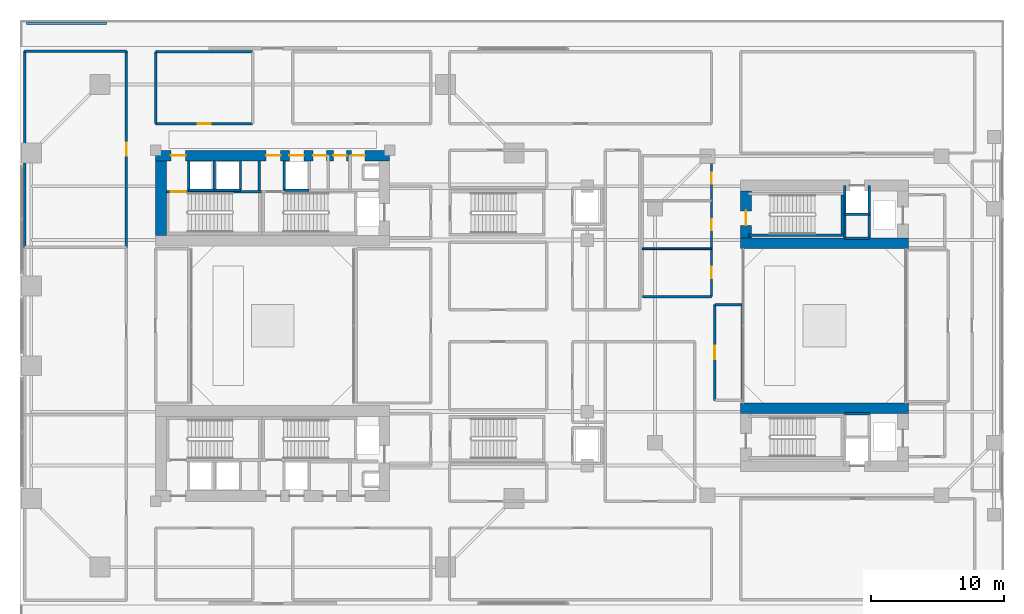
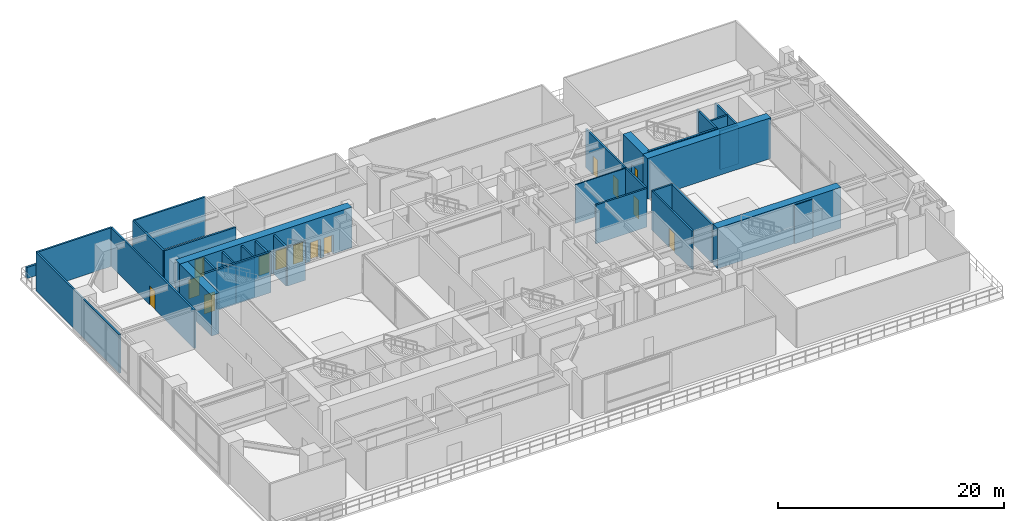
# One storey, part 13 of 19: 34 walls, 14 doors, 14 openings.
"""IFC4 building model written with IfcOpenShell, lengths in metres."""

import ifcopenshell
import ifcopenshell.guid

model = None  # the IFC model being written
_history = None  # IfcOwnerHistory: only IFC2X3 demands one
_inside = {}  # id of a spatial element -> (the spatial element, [elements in it])
_under = {}  # id of a project, library or spatial element -> (it, [spatial elements below it])
_declared = {}  # id of a project -> (the project, [libraries it declares])
_typed = {}  # id of a type object -> (the type object, [elements of that type])
_made_of = {}  # id of a material, layer set ... -> (it, [elements and type objects made of it])


def new_model(schema):
    """Start an empty IFC model of exactly this schema.

    Asked for "IFC4X3", IfcOpenShell would pick the latest addendum, in which some entities
    have other attributes; the version numbers below select the first issue.
    IFC2X3 requires an IfcOwnerHistory on every rooted entity: one is made here for all.
    """
    global model, _history
    if schema == "IFC4X3":
        model = ifcopenshell.file(schema_version=(4, 3, 0, 0))
    else:
        model = ifcopenshell.file(schema=schema)
    _inside.clear()
    _under.clear()
    _declared.clear()
    _typed.clear()
    _made_of.clear()
    _history = None
    if model.schema == "IFC2X3":
        org = make("IfcOrganization", Name="unknown")
        user = make(
            "IfcPersonAndOrganization",
            ThePerson=make("IfcPerson", FamilyName="unknown"),
            TheOrganization=org,
        )
        app = make(
            "IfcApplication",
            ApplicationDeveloper=org,
            Version="unknown",
            ApplicationFullName="unknown",
            ApplicationIdentifier="unknown",
        )
        _history = make(
            "IfcOwnerHistory",
            OwningUser=user,
            OwningApplication=app,
            ChangeAction="ADDED",
            CreationDate=0,
        )
    return model


def make(cls, **values):
    """One entity of the class cls with the attributes given. An attribute that is None is left unset."""
    return model.create_entity(
        cls, **{name: value for name, value in values.items() if value is not None}
    )


def rooted(cls, **values):
    """An entity with a GlobalId (a new one), such as an element, a storey or a relation."""
    return make(cls, GlobalId=ifcopenshell.guid.new(), OwnerHistory=_history, **values)


def si_unit(unit_type, name, prefix=None):
    """IfcSIUnit, for example si_unit("LENGTHUNIT", "METRE", prefix="MILLI")."""
    return make("IfcSIUnit", UnitType=unit_type, Prefix=prefix, Name=name)


def assignment(units):
    """IfcUnitAssignment: the units of a project."""
    return None if units is None else make("IfcUnitAssignment", Units=units)


def point(xyz):
    """IfcCartesianPoint."""
    return None if xyz is None else make("IfcCartesianPoint", Coordinates=xyz)


def direction(xyz):
    """IfcDirection."""
    return None if xyz is None else make("IfcDirection", DirectionRatios=xyz)


def frame(location, z_axis=None, x_axis=None):
    """IfcAxis2Placement3D, a coordinate frame: its origin and axes. An axis left out is left unset."""
    return make(
        "IfcAxis2Placement3D",
        Location=point(location),
        Axis=direction(z_axis),
        RefDirection=direction(x_axis),
    )


def frame_2d(location, x_axis=None):
    """IfcAxis2Placement2D, a coordinate frame in the plane: its origin and x axis."""
    return make(
        "IfcAxis2Placement2D", Location=point(location), RefDirection=direction(x_axis)
    )


def origin():
    """The frame at (0, 0, 0) with its axes left unset."""
    return frame((0.0, 0.0, 0.0))


def place(relative_to, where):
    """IfcLocalPlacement: puts the frame where relative to a parent placement (None: the world)."""
    return make(
        "IfcLocalPlacement", PlacementRelTo=relative_to, RelativePlacement=where
    )


def context(
    kind, dimensions, precision=None, world=None, true_north=None, identifier=None
):
    """IfcGeometricRepresentationContext, for example the 3D "Model" context."""
    return make(
        "IfcGeometricRepresentationContext",
        ContextIdentifier=identifier,
        ContextType=kind,
        CoordinateSpaceDimension=dimensions,
        Precision=precision,
        WorldCoordinateSystem=world,
        TrueNorth=true_north,
    )


def subcontext(parent, identifier, kind, view, scale=None):
    """IfcGeometricRepresentationSubContext, for example "Body" below "Model"."""
    return make(
        "IfcGeometricRepresentationSubContext",
        ContextIdentifier=identifier,
        ContextType=kind,
        ParentContext=parent,
        TargetScale=scale,
        TargetView=view,
    )


def project(units=None, contexts=None):
    """IfcProject with its units and contexts."""
    return rooted(
        "IfcProject",
        Name="project",
        RepresentationContexts=contexts,
        UnitsInContext=assignment(units),
    )


def spatial(cls, under=None, at=None, **own):
    """A site, building, storey or space (cls), placed at a placement, below another one or the project."""
    s = rooted(cls, ObjectPlacement=at, **own)
    if under is not None:
        _under.setdefault(under.id(), (under, []))[1].append(s)
    return s


def profile(cls, at=None, kind="AREA", **sizes):
    """A parametric profile (cls). Its sizes go by their IFC names, for example OverallWidth=200.0."""
    return make(cls, ProfileType=kind, Position=at, **sizes)


def rectangle(**sizes):
    """IfcRectangleProfileDef."""
    return profile("IfcRectangleProfileDef", **sizes)


def extrude(swept, where, along, depth):
    """IfcExtrudedAreaSolid: the profile swept, set in the frame where, extruded along a direction by depth."""
    return make(
        "IfcExtrudedAreaSolid",
        SweptArea=swept,
        Position=where,
        ExtrudedDirection=direction(along),
        Depth=depth,
    )


def shape(context_of_items, identifier, shape_type, items):
    """IfcShapeRepresentation: the items that make up one representation, for example the "Body"."""
    return make(
        "IfcShapeRepresentation",
        ContextOfItems=context_of_items,
        RepresentationIdentifier=identifier,
        RepresentationType=shape_type,
        Items=items,
    )


def source(mapping_origin, context_of_items, identifier, shape_type, items):
    """IfcRepresentationMap: a shape defined once, which mapped items show again and again."""
    return make(
        "IfcRepresentationMap",
        MappingOrigin=mapping_origin,
        MappedRepresentation=shape(context_of_items, identifier, shape_type, items),
    )


def transform(
    local_origin,
    x_axis=None,
    y_axis=None,
    z_axis=None,
    scale=None,
    scale2=None,
    scale3=None,
    uniform=True,
):
    """IfcCartesianTransformationOperator3D, or its non-uniform kind. x_axis, y_axis, z_axis: its Axis1, 2, 3."""
    if uniform:
        return make(
            "IfcCartesianTransformationOperator3D",
            Axis1=direction(x_axis),
            Axis2=direction(y_axis),
            LocalOrigin=point(local_origin),
            Scale=scale,
            Axis3=direction(z_axis),
        )
    return make(
        "IfcCartesianTransformationOperator3DnonUniform",
        Axis1=direction(x_axis),
        Axis2=direction(y_axis),
        LocalOrigin=point(local_origin),
        Scale=scale,
        Axis3=direction(z_axis),
        Scale2=scale2,
        Scale3=scale3,
    )


def mapped(mapping_source, mapping_target):
    """IfcMappedItem: shows the shape of a source again, moved by a transform."""
    return make(
        "IfcMappedItem", MappingSource=mapping_source, MappingTarget=mapping_target
    )


def material(Name=None, Category=None):
    """IfcMaterial."""
    return make("IfcMaterial", Name=Name, Category=Category)


def layer(
    of_material, thickness, ventilated=None, Name=None, Category=None, Priority=None
):
    """IfcMaterialLayer: one layer of a wall or slab, of a material (None: an air gap)."""
    return make(
        "IfcMaterialLayer",
        Material=of_material,
        LayerThickness=thickness,
        IsVentilated=ventilated,
        Name=Name,
        Category=Category,
        Priority=Priority,
    )


def layer_set(layers, Name=None):
    """IfcMaterialLayerSet."""
    return make("IfcMaterialLayerSet", MaterialLayers=layers, LayerSetName=Name)


def made_of(thing, what):
    """Note that an element or type object is made of a material, layer set ...; save() writes the relation."""
    if what is not None:
        _made_of.setdefault(what.id(), (what, []))[1].append(thing)
    return thing


def type_object(cls, material=None, **own):
    """A type object (cls), such as IfcWallType, which elements share."""
    return made_of(rooted(cls, **own), material)


def element(
    cls,
    number,
    at=None,
    inside=None,
    cuts=None,
    type_object=None,
    material=None,
    context=None,
    identifier="Body",
    shape_type=None,
    held_by="IfcProductDefinitionShape",
    body=None,
    shapes=None,
    **own,
):
    """One element of the class cls, such as IfcWall. Its Tag is "e" and its number.

    at: its placement. inside: the storey or other place that contains it. cuts: it is an
    opening in that element (IfcRelVoidsElement). A single representation is given by context,
    identifier, shape_type and body (its items); several are given by shapes. held_by: the class
    of the entity that holds the representations. save() writes the other relations.
    """
    e = rooted(cls, Tag="e%d" % number, ObjectPlacement=at, **own)
    if body is not None:
        shapes = [shape(context, identifier, shape_type, body)]
    if shapes is not None:
        e.Representation = make(held_by, Representations=shapes)
    if inside is not None:
        _inside.setdefault(inside.id(), (inside, []))[1].append(e)
    if cuts is not None:
        rooted(
            "IfcRelVoidsElement", RelatingBuildingElement=cuts, RelatedOpeningElement=e
        )
    if type_object is not None:
        _typed.setdefault(type_object.id(), (type_object, []))[1].append(e)
    return made_of(e, material)


def fill(opening, filler):
    """IfcRelFillsElement: the door or window that sits in an opening."""
    return rooted(
        "IfcRelFillsElement",
        RelatingOpeningElement=opening,
        RelatedBuildingElement=filler,
    )


def aggregate(whole, parts):
    """IfcRelAggregates: a whole, such as a stair, and the parts it consists of."""
    return rooted("IfcRelAggregates", RelatingObject=whole, RelatedObjects=parts)


def save(model, path):
    """Write the relations noted so far, then the file.

    IfcRelAggregates (storeys below a building ...), IfcRelContainedInSpatialStructure (elements
    in a storey), IfcRelDefinesByType, IfcRelAssociatesMaterial and IfcRelDeclares: one each for
    every whole, place, type object, material and project.
    """
    for whole, parts in _under.values():
        aggregate(whole, parts)
    for where, things in _inside.values():
        rooted(
            "IfcRelContainedInSpatialStructure",
            RelatedElements=things,
            RelatingStructure=where,
        )
    for kind, things in _typed.values():
        rooted("IfcRelDefinesByType", RelatedObjects=things, RelatingType=kind)
    for what, things in _made_of.values():
        rooted("IfcRelAssociatesMaterial", RelatedObjects=things, RelatingMaterial=what)
    for by, libraries in _declared.values():
        rooted("IfcRelDeclares", RelatingContext=by, RelatedDefinitions=libraries)
    model.write(path)


model = new_model("IFC4")

# Units and contexts
model_context = context("Model", 3, precision=1e-05, world=origin(), true_north=direction((0.0, 1.0)))
body_context = subcontext(model_context, "Body", "Model", "MODEL_VIEW")
ifc_project = project(units=[si_unit("LENGTHUNIT", "METRE"), si_unit("AREAUNIT", "SQUARE_METRE"), si_unit("VOLUMEUNIT", "CUBIC_METRE"), si_unit("PLANEANGLEUNIT", "RADIAN"), si_unit("MASSUNIT", "GRAM", prefix="KILO"), si_unit("THERMODYNAMICTEMPERATUREUNIT", "KELVIN"), si_unit("POWERUNIT", "WATT")], contexts=[model_context])

# Site, building, storey
site_placement = place(None, origin())
site = spatial("IfcSite", under=ifc_project, at=site_placement, CompositionType="ELEMENT")
building_placement = place(site_placement, origin())
building = spatial("IfcBuilding", under=site, at=building_placement, Name="Qiaomeng Ring Towers", CompositionType="ELEMENT")
storey_placement = place(building_placement, frame((0.0, 0.0, 5.0)))
storey = spatial("IfcBuildingStorey", under=building, at=storey_placement, Name="L01", CompositionType="ELEMENT", Elevation=5.0)

# Walls
ifc_material_1 = material(Name="Precast concrete C40", Category="concrete")
ifc_layer_1 = layer(ifc_material_1, 0.199951171875, Name="Precast concrete C40")
ifc_layer_set_1 = layer_set([ifc_layer_1], Name="Precast concrete C40")
wall_type_1 = type_object("IfcWallType", Name="ARC-WL-PP1", PredefinedType="PARAPET", material=ifc_layer_set_1)
wall_1_placement = place(storey_placement, frame((0.5, 45.75, 0.0), z_axis=(0.0, 0.0, 1.0), x_axis=(1.0, 0.0, 0.0)))
element("IfcWall", 1, at=wall_1_placement, inside=storey, type_object=wall_type_1, Name="L01 North Terrace Parapet PP1", PredefinedType="PARAPET", context=body_context, shape_type="SweptSolid", body=[
    extrude(rectangle(XDim=6.0, YDim=0.199951171875, at=frame_2d((3.0, 0.0))), origin(), (0.0, 0.0, 1.0), 1.199951171875),
])
ifc_material_2 = material(Name="Autoclaved aerated concrete block", Category="concrete")
ifc_layer_2 = layer(ifc_material_2, 0.199951171875, Name="Autoclaved aerated concrete block")
ifc_layer_set_2 = layer_set([ifc_layer_2], Name="Autoclaved aerated concrete block")
wall_type_2 = type_object("IfcWallType", Name="ARC-WL-PW1", PredefinedType="PARTITIONING", material=ifc_layer_set_2)
for number, where, z_axis, x_axis, name in (
    (2, (12.679931640625, 33.18994140625, 0.0), (0.0, 0.0, 1.0), (0.0, 1.0, 0.0), "L01 Interior Wall PW1"),
    (3, (18.0, 33.18994140625, 0.0), (0.0, 0.0, 1.0), (0.0, 1.0, 0.0), "L01 Interior Wall PW1"),
    (4, (19.8798828125, 33.18994140625, 0.0), (0.0, 0.0, 1.0), (0.0, 1.0, 0.0), "L01 Interior Wall PW1"),
):
    element("IfcWall", number, at=place(storey_placement, frame(where, z_axis=z_axis, x_axis=x_axis)), inside=storey, type_object=wall_type_2, Name=name, PredefinedType="PARTITIONING", context=body_context, shape_type="SweptSolid", body=[
        extrude(rectangle(XDim=2.2099609375, YDim=0.199951171875, at=frame_2d((1.10498046875, 0.0))), origin(), (0.0, 0.0, 1.0), 4.179931640625),
    ])

# Wall, openings, doors
ifc_layer_3 = layer(ifc_material_2, 0.179931640625, Name="Autoclaved aerated concrete block")
ifc_layer_set_3 = layer_set([ifc_layer_3], Name="Autoclaved aerated concrete block")
wall_type_3 = type_object("IfcWallType", Name="ARC-WL-PW2", PredefinedType="PARTITIONING", material=ifc_layer_set_3)
wall_2_placement = place(storey_placement, frame((52.0, 25.199951171875, 0.0), z_axis=(0.0, 0.0, 1.0), x_axis=(0.0, 1.0, 0.0)))
wall_2 = element("IfcWall", 5, at=wall_2_placement, inside=storey, type_object=wall_type_3, Name="L01 Interior Wall PW2", PredefinedType="PARTITIONING", context=body_context, shape_type="SweptSolid", body=[
    extrude(rectangle(XDim=10.60009765625, YDim=0.179931640625, at=frame_2d((5.300048828125, 0.0))), origin(), (0.0, 0.0, 1.0), 4.179931640625),
])
opening_1_placement = place(wall_2_placement, frame((1.375, 0.0, 0.0)))
opening_1 = element("IfcOpeningElement", 6, at=opening_1_placement, cuts=wall_2, Name="Opening ID2", PredefinedType="OPENING", context=body_context, shape_type="SweptSolid", body=[
    extrude(rectangle(XDim=0.85009765625, YDim=2.050048828125, at=frame_2d((0.425048828125, 1.02490234375))), frame((0.0, 0.099853515625, 0.0), z_axis=(0.0, -1.0, 0.0), x_axis=(1.0, 0.0, 0.0)), (0.0, 0.0, 1.0), 0.199951171875),
])
opening_2_placement = place(wall_2_placement, frame((4.97998046875, 0.0, 0.0)))
opening_2 = element("IfcOpeningElement", 7, at=opening_2_placement, cuts=wall_2, Name="Opening ID2", PredefinedType="OPENING", context=body_context, shape_type="SweptSolid", body=[
    extrude(rectangle(XDim=0.85009765625, YDim=2.050048828125, at=frame_2d((0.425048828125, 1.02490234375))), frame((0.0, 0.099853515625, 0.0), z_axis=(0.0, -1.0, 0.0), x_axis=(1.0, 0.0, 0.0)), (0.0, 0.0, 1.0), 0.199951171875),
])
opening_3_placement = place(wall_2_placement, frame((8.47998046875, 0.0, 0.0)))
opening_3 = element("IfcOpeningElement", 8, at=opening_3_placement, cuts=wall_2, Name="Opening ID2", PredefinedType="OPENING", context=body_context, shape_type="SweptSolid", body=[
    extrude(rectangle(XDim=0.85009765625, YDim=2.050048828125, at=frame_2d((0.425048828125, 1.02490234375))), frame((0.0, 0.099853515625, 0.0), z_axis=(0.0, -1.0, 0.0), x_axis=(1.0, 0.0, 0.0)), (0.0, 0.0, 1.0), 0.199951171875),
])
ifc_material_3 = material(Name="Moisture-resistant engineered timber", Category="wood")
door_type_1 = type_object("IfcDoorType", Name="ARC-DR-ID2", OperationType="NOTDEFINED", PredefinedType="DOOR", material=ifc_material_3)
shared_shape_1 = source(origin(), body_context, "Body", "SweptSolid", [
    extrude(rectangle(XDim=0.85009765625, YDim=2.050048828125, at=frame_2d((0.425048828125, 1.02490234375))), frame((0.0, 0.02490234375, 0.0), z_axis=(0.0, -1.0, 0.0), x_axis=(1.0, 0.0, 0.0)), (0.0, 0.0, 1.0), 0.050048828125),
])
door_1_placement = place(opening_1_placement, origin())
door_1 = element("IfcDoor", 9, at=door_1_placement, inside=storey, type_object=door_type_1, Name="L01 Door ID2", OperationType="SINGLE_SWING_LEFT", OverallHeight=2.050048828125, OverallWidth=0.85009765625, PredefinedType="DOOR", context=body_context, shape_type="MappedRepresentation", body=[
    mapped(shared_shape_1, transform((0.0, 0.0, 0.0), x_axis=(1.0, 0.0, 0.0), y_axis=(0.0, 1.0, 0.0), z_axis=(0.0, 0.0, 1.0), scale=1.0)),
])
fill(opening_1, door_1)
door_2_placement = place(opening_2_placement, origin())
door_2 = element("IfcDoor", 10, at=door_2_placement, inside=storey, type_object=door_type_1, Name="L01 Door ID2", OperationType="SINGLE_SWING_RIGHT", OverallHeight=2.050048828125, OverallWidth=0.85009765625, PredefinedType="DOOR", context=body_context, shape_type="MappedRepresentation", body=[
    mapped(shared_shape_1, transform((0.0, 0.0, 0.0), x_axis=(1.0, 0.0, 0.0), y_axis=(0.0, 1.0, 0.0), z_axis=(0.0, 0.0, 1.0), scale=1.0)),
])
fill(opening_2, door_2)
door_3_placement = place(opening_3_placement, origin())
door_3 = element("IfcDoor", 11, at=door_3_placement, inside=storey, type_object=door_type_1, Name="L01 Door ID2", OperationType="SINGLE_SWING_LEFT", OverallHeight=2.050048828125, OverallWidth=0.85009765625, PredefinedType="DOOR", context=body_context, shape_type="MappedRepresentation", body=[
    mapped(shared_shape_1, transform((0.0, 0.0, 0.0), x_axis=(1.0, 0.0, 0.0), y_axis=(0.0, 1.0, 0.0), z_axis=(0.0, 0.0, 1.0), scale=1.0)),
])
fill(opening_3, door_3)

# Walls
wall_3_placement = place(storey_placement, frame((46.800048828125, 25.199951171875, 0.0), z_axis=(0.0, 0.0, 1.0), x_axis=(1.0, 0.0, 0.0)))
element("IfcWall", 12, at=wall_3_placement, inside=storey, type_object=wall_type_3, Name="L01 Interior Wall PW2", PredefinedType="PARTITIONING", context=body_context, shape_type="SweptSolid", body=[
    extrude(rectangle(XDim=5.199951171875, YDim=0.179931640625, at=frame_2d((2.60009765625, 0.0))), origin(), (0.0, 0.0, 1.0), 4.179931640625),
])
wall_4_placement = place(storey_placement, frame((0.35009765625, 43.64990234375, 0.0), z_axis=(0.0, 0.0, 1.0), x_axis=(1.0, 0.0, 0.0)))
element("IfcWall", 13, at=wall_4_placement, inside=storey, type_object=wall_type_3, Name="L01 Interior Wall PW2", PredefinedType="PARTITIONING", context=body_context, shape_type="SweptSolid", body=[
    extrude(rectangle(XDim=7.64990234375, YDim=0.179931640625, at=frame_2d((3.824951171875, 0.0))), origin(), (0.0, 0.0, 1.0), 4.179931640625),
])
wall_5_placement = place(storey_placement, frame((0.35009765625, 28.89990234375, 0.0), z_axis=(0.0, 0.0, 1.0), x_axis=(0.0, 1.0, 0.0)))
element("IfcWall", 14, at=wall_5_placement, inside=storey, type_object=wall_type_3, Name="L01 Interior Wall PW2", PredefinedType="PARTITIONING", context=body_context, shape_type="SweptSolid", body=[
    extrude(rectangle(XDim=14.75, YDim=0.179931640625, at=frame_2d((7.375, 0.0))), origin(), (0.0, 0.0, 1.0), 4.179931640625),
])

# Wall, opening, door
wall_6_placement = place(storey_placement, frame((8.0, 28.89990234375, 0.0), z_axis=(0.0, 0.0, 1.0), x_axis=(0.0, 1.0, 0.0)))
wall_6 = element("IfcWall", 15, at=wall_6_placement, inside=storey, type_object=wall_type_3, Name="L01 Interior Wall PW2", PredefinedType="PARTITIONING", context=body_context, shape_type="SweptSolid", body=[
    extrude(rectangle(XDim=14.75, YDim=0.179931640625, at=frame_2d((7.375, 0.0))), origin(), (0.0, 0.0, 1.0), 4.179931640625),
])
opening_4_placement = place(wall_6_placement, frame((6.875, 0.0, 0.0)))
opening_4 = element("IfcOpeningElement", 16, at=opening_4_placement, cuts=wall_6, Name="Opening FD4", PredefinedType="OPENING", context=body_context, shape_type="SweptSolid", body=[
    extrude(rectangle(XDim=1.0, YDim=2.050048828125, at=frame_2d((0.5, 1.02490234375))), frame((0.0, 0.099853515625, 0.0), z_axis=(0.0, -1.0, 0.0), x_axis=(1.0, 0.0, 0.0)), (0.0, 0.0, 1.0), 0.199951171875),
])
ifc_material_4 = material(Name="Engineered fire-rated oak timber", Category="wood")
door_type_2 = type_object("IfcDoorType", Name="ARC-DR-FD4", OperationType="NOTDEFINED", PredefinedType="DOOR", material=ifc_material_4)
shared_shape_2 = source(origin(), body_context, "Body", "SweptSolid", [
    extrude(rectangle(XDim=1.0, YDim=2.050048828125, at=frame_2d((0.5, 1.02490234375))), frame((0.0, 0.02490234375, 0.0), z_axis=(0.0, -1.0, 0.0), x_axis=(1.0, 0.0, 0.0)), (0.0, 0.0, 1.0), 0.050048828125),
])
door_4_placement = place(opening_4_placement, origin())
door_4 = element("IfcDoor", 17, at=door_4_placement, inside=storey, type_object=door_type_2, Name="L01 L01 Rehabilitation Physiotherapy Gymnasium Door", OperationType="SINGLE_SWING_RIGHT", OverallHeight=2.050048828125, OverallWidth=1.0, PredefinedType="DOOR", context=body_context, shape_type="MappedRepresentation", body=[
    mapped(shared_shape_2, transform((0.0, 0.0, 0.0), x_axis=(1.0, 0.0, 0.0), y_axis=(0.0, 1.0, 0.0), z_axis=(0.0, 0.0, 1.0), scale=1.0)),
])
fill(opening_4, door_4)

# Wall
wall_7_placement = place(storey_placement, frame((52.25, 24.60009765625, 0.0), z_axis=(0.0, 0.0, 1.0), x_axis=(1.0, 0.0, 0.0)))
element("IfcWall", 18, at=wall_7_placement, inside=storey, type_object=wall_type_3, Name="L01 Interior Wall PW2", PredefinedType="PARTITIONING", context=body_context, shape_type="SweptSolid", body=[
    extrude(rectangle(XDim=2.050048828125, YDim=0.179931640625, at=frame_2d((1.02490234375, 0.0))), origin(), (0.0, 0.0, 1.0), 4.179931640625),
])

# Wall, opening, door
wall_8_placement = place(storey_placement, frame((52.25, 17.39990234375, 0.0), z_axis=(0.0, 0.0, 1.0), x_axis=(0.0, 1.0, 0.0)))
wall_8 = element("IfcWall", 19, at=wall_8_placement, inside=storey, type_object=wall_type_3, Name="L01 Interior Wall PW2", PredefinedType="PARTITIONING", context=body_context, shape_type="SweptSolid", body=[
    extrude(rectangle(XDim=7.2001953125, YDim=0.179931640625, at=frame_2d((3.60009765625, 0.0))), origin(), (0.0, 0.0, 1.0), 4.179931640625),
])
opening_5_placement = place(wall_8_placement, frame((3.10009765625, 0.0, 0.0)))
opening_5 = element("IfcOpeningElement", 20, at=opening_5_placement, cuts=wall_8, Name="Opening FD4", PredefinedType="OPENING", context=body_context, shape_type="SweptSolid", body=[
    extrude(rectangle(XDim=1.0, YDim=2.050048828125, at=frame_2d((0.5, 1.02490234375))), frame((0.0, 0.099853515625, 0.0), z_axis=(0.0, -1.0, 0.0), x_axis=(1.0, 0.0, 0.0)), (0.0, 0.0, 1.0), 0.199951171875),
])
door_5_placement = place(opening_5_placement, origin())
door_5 = element("IfcDoor", 21, at=door_5_placement, inside=storey, type_object=door_type_2, Name="L01 L01 Audiology Screening Clinic Door", OperationType="SINGLE_SWING_LEFT", OverallHeight=2.050048828125, OverallWidth=1.0, PredefinedType="DOOR", context=body_context, shape_type="MappedRepresentation", body=[
    mapped(shared_shape_2, transform((0.0, 0.0, 0.0), x_axis=(1.0, 0.0, 0.0), y_axis=(0.0, 1.0, 0.0), z_axis=(0.0, 0.0, 1.0), scale=1.0)),
])
fill(opening_5, door_5)

# Wall
wall_9_placement = place(storey_placement, frame((54.300048828125, 17.39990234375, 0.0), z_axis=(0.0, 0.0, 1.0), x_axis=(0.0, 1.0, 0.0)))
element("IfcWall", 22, at=wall_9_placement, inside=storey, type_object=wall_type_3, Name="L01 Interior Wall PW2", PredefinedType="PARTITIONING", context=body_context, shape_type="SweptSolid", body=[
    extrude(rectangle(XDim=7.2001953125, YDim=0.179931640625, at=frame_2d((3.60009765625, 0.0))), origin(), (0.0, 0.0, 1.0), 4.179931640625),
])

# Wall, opening, door
wall_10_placement = place(storey_placement, frame((10.199951171875, 38.199951171875, 0.0), z_axis=(0.0, 0.0, 1.0), x_axis=(1.0, 0.0, 0.0)))
wall_10 = element("IfcWall", 23, at=wall_10_placement, inside=storey, type_object=wall_type_3, Name="L01 Interior Wall PW2", PredefinedType="PARTITIONING", context=body_context, shape_type="SweptSolid", body=[
    extrude(rectangle(XDim=7.300048828125, YDim=0.179931640625, at=frame_2d((3.64990234375, 0.0))), origin(), (0.0, 0.0, 1.0), 4.179931640625),
])
opening_6_placement = place(wall_10_placement, frame((3.14990234375, 0.0, 0.0)))
opening_6 = element("IfcOpeningElement", 24, at=opening_6_placement, cuts=wall_10, Name="Opening FD4", PredefinedType="OPENING", context=body_context, shape_type="SweptSolid", body=[
    extrude(rectangle(XDim=1.0, YDim=2.050048828125, at=frame_2d((0.5, 1.02490234375))), frame((0.0, 0.099853515625, 0.0), z_axis=(0.0, -1.0, 0.0), x_axis=(1.0, 0.0, 0.0)), (0.0, 0.0, 1.0), 0.199951171875),
])
door_6_placement = place(opening_6_placement, origin())
door_6 = element("IfcDoor", 25, at=door_6_placement, inside=storey, type_object=door_type_2, Name="L01 L01 Pediatric Care Clinic Door", OperationType="SINGLE_SWING_LEFT", OverallHeight=2.050048828125, OverallWidth=1.0, PredefinedType="DOOR", context=body_context, shape_type="MappedRepresentation", body=[
    mapped(shared_shape_2, transform((0.0, 0.0, 0.0), x_axis=(1.0, 0.0, 0.0), y_axis=(0.0, 1.0, 0.0), z_axis=(0.0, 0.0, 1.0), scale=1.0)),
])
fill(opening_6, door_6)

# Walls
wall_11_placement = place(storey_placement, frame((10.199951171875, 43.60009765625, 0.0), z_axis=(0.0, 0.0, 1.0), x_axis=(1.0, 0.0, 0.0)))
element("IfcWall", 26, at=wall_11_placement, inside=storey, type_object=wall_type_3, Name="L01 Interior Wall PW2", PredefinedType="PARTITIONING", context=body_context, shape_type="SweptSolid", body=[
    extrude(rectangle(XDim=7.300048828125, YDim=0.179931640625, at=frame_2d((3.64990234375, 0.0))), origin(), (0.0, 0.0, 1.0), 4.179931640625),
])
wall_12_placement = place(storey_placement, frame((10.199951171875, 38.199951171875, 0.0), z_axis=(0.0, 0.0, 1.0), x_axis=(0.0, 1.0, 0.0)))
element("IfcWall", 27, at=wall_12_placement, inside=storey, type_object=wall_type_3, Name="L01 Interior Wall PW2", PredefinedType="PARTITIONING", context=body_context, shape_type="SweptSolid", body=[
    extrude(rectangle(XDim=5.400146484375, YDim=0.179931640625, at=frame_2d((2.7001953125, 0.0))), origin(), (0.0, 0.0, 1.0), 4.179931640625),
])
ifc_material_5 = material(Name="Moisture-resistant gypsum steel-stud partition", Category="steel")
ifc_layer_4 = layer(ifc_material_5, 0.1201171875, Name="Moisture-resistant gypsum steel-stud partition")
ifc_layer_set_4 = layer_set([ifc_layer_4], Name="Moisture-resistant gypsum steel-stud partition")
wall_type_4 = type_object("IfcWallType", Name="ARC-WL-PW4", PredefinedType="PLUMBINGWALL", material=ifc_layer_set_4)
wall_13_placement = place(storey_placement, frame((46.800048828125, 28.800048828125, 0.0), z_axis=(0.0, 0.0, 1.0), x_axis=(1.0, 0.0, 0.0)))
element("IfcWall", 28, at=wall_13_placement, inside=storey, type_object=wall_type_4, Name="L01 Interior Wall PW4", PredefinedType="PLUMBINGWALL", context=body_context, shape_type="SweptSolid", body=[
    extrude(rectangle(XDim=5.199951171875, YDim=0.1201171875, at=frame_2d((2.60009765625, 0.0))), origin(), (0.0, 0.0, 1.0), 4.179931640625),
])
ifc_material_6 = material(Name="Concrete C40", Category="concrete")
ifc_layer_5 = layer(ifc_material_6, 0.199951171875, Name="Concrete C40")
ifc_layer_set_5 = layer_set([ifc_layer_5], Name="Concrete C40")
wall_type_5 = type_object("IfcWallType", Name="STR-WL-STSHAFT", PredefinedType="SHEAR", material=ifc_layer_set_5)
wall_14_placement = place(storey_placement, frame((12.679931640625, 33.199951171875, 0.0), z_axis=(0.0, 0.0, 1.0), x_axis=(1.0, 0.0, 0.0)))
element("IfcWall", 29, at=wall_14_placement, inside=storey, type_object=wall_type_5, Name="L01 Lift LP5 Shaft Back Wall", PredefinedType="SHEAR", context=body_context, shape_type="SweptSolid", body=[
    extrude(rectangle(XDim=1.940185546875, YDim=0.179931640625, at=frame_2d((0.97021484375, 0.0))), origin(), (0.0, 0.0, 1.0), 4.179931640625),
])
wall_15_placement = place(storey_placement, frame((14.6201171875, 33.199951171875, 0.0), z_axis=(0.0, 0.0, 1.0), x_axis=(0.0, 1.0, 0.0)))
element("IfcWall", 30, at=wall_15_placement, inside=storey, type_object=wall_type_5, Name="L01 Lift LP5-LP3 Shaft Divider Wall", PredefinedType="SHEAR", context=body_context, shape_type="SweptSolid", body=[
    extrude(rectangle(XDim=2.199951171875, YDim=0.179931640625, at=frame_2d((1.10009765625, 0.0))), origin(), (0.0, 0.0, 1.0), 4.179931640625),
])
wall_16_placement = place(storey_placement, frame((14.6201171875, 33.199951171875, 0.0), z_axis=(0.0, 0.0, 1.0), x_axis=(1.0, 0.0, 0.0)))
element("IfcWall", 31, at=wall_16_placement, inside=storey, type_object=wall_type_5, Name="L01 Lift LP3 Shaft Back Wall", PredefinedType="SHEAR", context=body_context, shape_type="SweptSolid", body=[
    extrude(rectangle(XDim=1.9599609375, YDim=0.179931640625, at=frame_2d((0.97998046875, 0.0))), origin(), (0.0, 0.0, 1.0), 4.179931640625),
])
wall_17_placement = place(storey_placement, frame((16.580078125, 33.199951171875, 0.0), z_axis=(0.0, 0.0, 1.0), x_axis=(0.0, 1.0, 0.0)))
element("IfcWall", 32, at=wall_17_placement, inside=storey, type_object=wall_type_5, Name="L01 Lift LP3 East Shaft Wall", PredefinedType="SHEAR", context=body_context, shape_type="SweptSolid", body=[
    extrude(rectangle(XDim=2.199951171875, YDim=0.179931640625, at=frame_2d((1.10009765625, 0.0))), origin(), (0.0, 0.0, 1.0), 4.179931640625),
])
wall_18_placement = place(storey_placement, frame((19.8798828125, 33.199951171875, 0.0), z_axis=(0.0, 0.0, 1.0), x_axis=(1.0, 0.0, 0.0)))
element("IfcWall", 33, at=wall_18_placement, inside=storey, type_object=wall_type_5, Name="L01 Lift LP1 Shaft Back Wall", PredefinedType="SHEAR", context=body_context, shape_type="SweptSolid", body=[
    extrude(rectangle(XDim=1.8701171875, YDim=0.179931640625, at=frame_2d((0.93505859375, 0.0))), origin(), (0.0, 0.0, 1.0), 4.179931640625),
])
for number, where, z_axis, x_axis, name in (
    (34, (62.02001953125, 29.60009765625, 0.0), (0.0, 0.0, 1.0), (0.0, 1.0, 0.0), "L01 Companion Lift Shaft West Wall N"),
    (35, (63.8798828125, 29.60009765625, 0.0), (0.0, 0.0, 1.0), (0.0, 1.0, 0.0), "L01 Companion Lift Shaft East Wall N"),
):
    element("IfcWall", number, at=place(storey_placement, frame(where, z_axis=z_axis, x_axis=x_axis)), inside=storey, type_object=wall_type_5, Name=name, PredefinedType="SHEAR", context=body_context, shape_type="SweptSolid", body=[
        extrude(rectangle(XDim=3.949951171875, YDim=0.179931640625, at=frame_2d((1.97509765625, 0.0))), origin(), (0.0, 0.0, 1.0), 4.179931640625),
    ])
for number, where, z_axis, x_axis, name in (
    (36, (62.02001953125, 31.3798828125, 0.0), (0.0, 0.0, 1.0), (1.0, 0.0, 0.0), "L01 Companion Lift Shaft Divider Wall N"),
    (37, (62.02001953125, 29.60009765625, 0.0), (0.0, 0.0, 1.0), (1.0, 0.0, 0.0), "L01 Companion Riser Shaft Back Wall N"),
    (38, (62.02001953125, 16.39990234375, 0.0), (0.0, 0.0, 1.0), (1.0, 0.0, 0.0), "L01 Companion Riser Shaft Back Wall S"),
):
    element("IfcWall", number, at=place(storey_placement, frame(where, z_axis=z_axis, x_axis=x_axis)), inside=storey, type_object=wall_type_5, Name=name, PredefinedType="SHEAR", context=body_context, shape_type="SweptSolid", body=[
        extrude(rectangle(XDim=1.85986328125, YDim=0.179931640625, at=frame_2d((0.929931640625, 0.0))), origin(), (0.0, 0.0, 1.0), 4.179931640625),
    ])

# Wall, opening, door
wall_19_placement = place(storey_placement, frame((11.0, 33.090087890625, 0.0), z_axis=(0.0, 0.0, 1.0), x_axis=(1.0, 0.0, 0.0)))
wall_19 = element("IfcWall", 39, at=wall_19_placement, inside=storey, type_object=wall_type_5, Name="L01 Stair ST1 North Shaft Shear Wall", PredefinedType="SHEAR", context=body_context, shape_type="SweptSolid", body=[
    extrude(rectangle(XDim=7.14990234375, YDim=0.199951171875, at=frame_2d((3.574951171875, 0.0))), origin(), (0.0, 0.0, 1.0), 4.39990234375),
])
opening_7_placement = place(wall_19_placement, frame((0.35009765625, 0.0, 0.0)))
opening_7 = element("IfcOpeningElement", 40, at=opening_7_placement, cuts=wall_19, Name="Opening FD3", PredefinedType="OPENING", context=body_context, shape_type="SweptSolid", body=[
    extrude(rectangle(XDim=1.10009765625, YDim=2.050048828125, at=frame_2d((0.550048828125, 1.02490234375))), frame((0.0, 0.10986328125, 0.0), z_axis=(0.0, -1.0, 0.0), x_axis=(1.0, 0.0, 0.0)), (0.0, 0.0, 1.0), 0.219970703125),
])
ifc_material_7 = material(Name="Galvanised steel", Category="steel")
door_type_3 = type_object("IfcDoorType", Name="ARC-DR-FD3", OperationType="NOTDEFINED", PredefinedType="DOOR", material=ifc_material_7)
shared_shape_3 = source(origin(), body_context, "Body", "SweptSolid", [
    extrude(rectangle(XDim=1.10009765625, YDim=2.050048828125, at=frame_2d((0.550048828125, 1.02490234375))), frame((0.0, 0.02490234375, 0.0), z_axis=(0.0, -1.0, 0.0), x_axis=(1.0, 0.0, 0.0)), (0.0, 0.0, 1.0), 0.050048828125),
])
door_7_placement = place(opening_7_placement, origin())
door_7 = element("IfcDoor", 41, at=door_7_placement, inside=storey, type_object=door_type_3, Name="L01 Stair ST1 Exit Door", OperationType="SINGLE_SWING_LEFT", OverallHeight=2.050048828125, OverallWidth=1.10009765625, PredefinedType="DOOR", context=body_context, shape_type="MappedRepresentation", body=[
    mapped(shared_shape_3, transform((0.0, 0.0, 0.0), x_axis=(1.0, 0.0, 0.0), y_axis=(0.0, 1.0, 0.0), z_axis=(0.0, 0.0, 1.0), scale=1.0)),
])
fill(opening_7, door_7)

# Walls
wall_20_placement = place(storey_placement, frame((54.800048828125, 29.800048828125, 0.0), z_axis=(0.0, 0.0, 1.0), x_axis=(1.0, 0.0, 0.0)))
element("IfcWall", 42, at=wall_20_placement, inside=storey, type_object=wall_type_5, Name="L01 Stair ST5 South Shaft Shear Wall", PredefinedType="SHEAR", context=body_context, shape_type="SweptSolid", body=[
    extrude(rectangle(XDim=7.14990234375, YDim=0.199951171875, at=frame_2d((3.574951171875, 0.0))), origin(), (0.0, 0.0, 1.0), 4.39990234375),
])
wall_21_placement = place(storey_placement, frame((61.85009765625, 29.89990234375, 0.0), z_axis=(0.0, 0.0, 1.0), x_axis=(0.0, 1.0, 0.0)))
element("IfcWall", 43, at=wall_21_placement, inside=storey, type_object=wall_type_5, Name="L01 Stair ST5 East Shaft Shear Wall", PredefinedType="SHEAR", context=body_context, shape_type="SweptSolid", body=[
    extrude(rectangle(XDim=2.940185546875, YDim=0.199951171875, at=frame_2d((1.47021484375, 0.0))), origin(), (0.0, 0.0, 1.0), 4.39990234375),
])

# Wall, openings, doors
ifc_material_8 = material(Name="Concrete C60", Category="concrete")
ifc_layer_6 = layer(ifc_material_8, 0.800048828125, Name="Concrete C60")
ifc_layer_set_6 = layer_set([ifc_layer_6], Name="Concrete C60")
wall_type_6 = type_object("IfcWallType", Name="STR-WL-SW1", PredefinedType="SHEAR", material=ifc_layer_set_6)
wall_22_placement = place(storey_placement, frame((10.199951171875, 35.800048828125, 0.0), z_axis=(0.0, 0.0, 1.0), x_axis=(1.0, 0.0, 0.0)))
wall_22 = element("IfcWall", 44, at=wall_22_placement, inside=storey, type_object=wall_type_6, Name="L01 T1NC north core shear wall", PredefinedType="SHEAR", context=body_context, shape_type="SweptSolid", body=[
    extrude(rectangle(XDim=17.60009765625, YDim=0.800048828125, at=frame_2d((8.800048828125, 0.0))), origin(), (0.0, 0.0, 1.0), 4.39990234375),
])
opening_8_placement = place(wall_22_placement, frame((1.14990234375, 0.0, 0.0)))
opening_8 = element("IfcOpeningElement", 45, at=opening_8_placement, cuts=wall_22, Name="Opening FD3", PredefinedType="OPENING", context=body_context, shape_type="SweptSolid", body=[
    extrude(rectangle(XDim=1.10009765625, YDim=2.050048828125, at=frame_2d((0.550048828125, 1.02490234375))), frame((0.0, 0.409912109375, 0.0), z_axis=(0.0, -1.0, 0.0), x_axis=(1.0, 0.0, 0.0)), (0.0, 0.0, 1.0), 0.820068359375),
])
opening_9_placement = place(wall_22_placement, frame((8.300048828125, 0.0, 0.0)))
opening_9 = element("IfcOpeningElement", 46, at=opening_9_placement, cuts=wall_22, Name="Opening FD3", PredefinedType="OPENING", context=body_context, shape_type="SweptSolid", body=[
    extrude(rectangle(XDim=1.10009765625, YDim=2.050048828125, at=frame_2d((0.550048828125, 1.02490234375))), frame((0.0, 0.409912109375, 0.0), z_axis=(0.0, -1.0, 0.0), x_axis=(1.0, 0.0, 0.0)), (0.0, 0.0, 1.0), 0.820068359375),
])
opening_10_placement = place(wall_22_placement, frame((10.050048828125, 0.0, 0.0)))
opening_10 = element("IfcOpeningElement", 47, at=opening_10_placement, cuts=wall_22, Name="Opening LD1", PredefinedType="OPENING", context=body_context, shape_type="SweptSolid", body=[
    extrude(rectangle(XDim=1.10009765625, YDim=2.050048828125, at=frame_2d((0.550048828125, 1.02490234375))), frame((0.0, 0.409912109375, 0.0), z_axis=(0.0, -1.0, 0.0), x_axis=(1.0, 0.0, 0.0)), (0.0, 0.0, 1.0), 0.820068359375),
])
opening_11_placement = place(wall_22_placement, frame((14.739990234375, 0.0, 0.0)))
opening_11 = element("IfcOpeningElement", 48, at=opening_11_placement, cuts=wall_22, Name="Opening FD1", PredefinedType="OPENING", context=body_context, shape_type="SweptSolid", body=[
    extrude(rectangle(XDim=1.0, YDim=2.050048828125, at=frame_2d((0.5, 1.02490234375))), frame((0.0, 0.409912109375, 0.0), z_axis=(0.0, -1.0, 0.0), x_axis=(1.0, 0.0, 0.0)), (0.0, 0.0, 1.0), 0.820068359375),
])
opening_12_placement = place(wall_22_placement, frame((11.8349609375, 0.0, 0.0)))
opening_12 = element("IfcOpeningElement", 49, at=opening_12_placement, cuts=wall_22, Name="Opening FD1", PredefinedType="OPENING", context=body_context, shape_type="SweptSolid", body=[
    extrude(rectangle(XDim=1.0, YDim=2.050048828125, at=frame_2d((0.5, 1.02490234375))), frame((0.0, 0.409912109375, 0.0), z_axis=(0.0, -1.0, 0.0), x_axis=(1.0, 0.0, 0.0)), (0.0, 0.0, 1.0), 0.820068359375),
])
opening_13_placement = place(wall_22_placement, frame((13.3701171875, 0.0, 0.0)))
opening_13 = element("IfcOpeningElement", 50, at=opening_13_placement, cuts=wall_22, Name="Opening FD1", PredefinedType="OPENING", context=body_context, shape_type="SweptSolid", body=[
    extrude(rectangle(XDim=1.0, YDim=2.050048828125, at=frame_2d((0.5, 1.02490234375))), frame((0.0, 0.409912109375, 0.0), z_axis=(0.0, -1.0, 0.0), x_axis=(1.0, 0.0, 0.0)), (0.0, 0.0, 1.0), 0.820068359375),
])
door_8_placement = place(opening_8_placement, origin())
door_8 = element("IfcDoor", 51, at=door_8_placement, inside=storey, type_object=door_type_3, Name="L01 Stair ST1 Lobby Door", OperationType="SINGLE_SWING_RIGHT", OverallHeight=2.050048828125, OverallWidth=1.10009765625, PredefinedType="DOOR", context=body_context, shape_type="MappedRepresentation", body=[
    mapped(shared_shape_3, transform((0.0, 0.0, 0.0), x_axis=(1.0, 0.0, 0.0), y_axis=(0.0, 1.0, 0.0), z_axis=(0.0, 0.0, 1.0), scale=1.0)),
])
fill(opening_8, door_8)
door_9_placement = place(opening_9_placement, origin())
door_9 = element("IfcDoor", 52, at=door_9_placement, inside=storey, type_object=door_type_3, Name="L01 Stair ST2 Lobby Door", OperationType="SINGLE_SWING_RIGHT", OverallHeight=2.050048828125, OverallWidth=1.10009765625, PredefinedType="DOOR", context=body_context, shape_type="MappedRepresentation", body=[
    mapped(shared_shape_3, transform((0.0, 0.0, 0.0), x_axis=(1.0, 0.0, 0.0), y_axis=(0.0, 1.0, 0.0), z_axis=(0.0, 0.0, 1.0), scale=1.0)),
])
fill(opening_9, door_9)
ifc_material_9 = material(Name="Stainless steel 316", Category="steel")
door_type_4 = type_object("IfcDoorType", Name="ARC-DR-LD1", OperationType="NOTDEFINED", PredefinedType="DOOR", material=ifc_material_9)
door_10_placement = place(opening_10_placement, origin())
door_10 = element("IfcDoor", 53, at=door_10_placement, inside=storey, type_object=door_type_4, Name="L01 Low-Zone Lift LP1 Landing Door", OperationType="SLIDING_TO_LEFT", OverallHeight=2.050048828125, OverallWidth=1.10009765625, PredefinedType="DOOR", context=body_context, shape_type="MappedRepresentation", body=[
    mapped(shared_shape_3, transform((0.0, 0.0, 0.0), x_axis=(1.0, 0.0, 0.0), y_axis=(0.0, 1.0, 0.0), z_axis=(0.0, 0.0, 1.0), scale=1.0)),
])
fill(opening_10, door_10)
door_type_5 = type_object("IfcDoorType", Name="ARC-DR-FD1", OperationType="NOTDEFINED", PredefinedType="DOOR", material=ifc_material_7)
door_11_placement = place(opening_11_placement, origin())
door_11 = element("IfcDoor", 54, at=door_11_placement, inside=storey, type_object=door_type_5, Name="L01 North Electrical Riser Door", OperationType="SINGLE_SWING_RIGHT", OverallHeight=2.050048828125, OverallWidth=1.0, PredefinedType="DOOR", context=body_context, shape_type="MappedRepresentation", body=[
    mapped(shared_shape_2, transform((0.0, 0.0, 0.0), x_axis=(1.0, 0.0, 0.0), y_axis=(0.0, 1.0, 0.0), z_axis=(0.0, 0.0, 1.0), scale=1.0)),
])
fill(opening_11, door_11)
door_12_placement = place(opening_12_placement, origin())
door_12 = element("IfcDoor", 55, at=door_12_placement, inside=storey, type_object=door_type_5, Name="L01 North Cleaners Store Door", OperationType="SINGLE_SWING_RIGHT", OverallHeight=2.050048828125, OverallWidth=1.0, PredefinedType="DOOR", context=body_context, shape_type="MappedRepresentation", body=[
    mapped(shared_shape_2, transform((0.0, 0.0, 0.0), x_axis=(1.0, 0.0, 0.0), y_axis=(0.0, 1.0, 0.0), z_axis=(0.0, 0.0, 1.0), scale=1.0)),
])
fill(opening_12, door_12)
door_13_placement = place(opening_13_placement, origin())
door_13 = element("IfcDoor", 56, at=door_13_placement, inside=storey, type_object=door_type_5, Name="L01 North Beverage Pantry Door", OperationType="SINGLE_SWING_LEFT", OverallHeight=2.050048828125, OverallWidth=1.0, PredefinedType="DOOR", context=body_context, shape_type="MappedRepresentation", body=[
    mapped(shared_shape_2, transform((0.0, 0.0, 0.0), x_axis=(1.0, 0.0, 0.0), y_axis=(0.0, 1.0, 0.0), z_axis=(0.0, 0.0, 1.0), scale=1.0)),
])
fill(opening_13, door_13)

# Walls
wall_23_placement = place(storey_placement, frame((10.60009765625, 29.800048828125, 0.0), z_axis=(0.0, 0.0, 1.0), x_axis=(0.0, 1.0, 0.0)))
element("IfcWall", 57, at=wall_23_placement, inside=storey, type_object=wall_type_6, Name="L01 T1NC west core shear wall", PredefinedType="SHEAR", context=body_context, shape_type="SweptSolid", body=[
    extrude(rectangle(XDim=5.599853515625, YDim=0.800048828125, at=frame_2d((2.7998046875, 0.0))), origin(), (0.0, 0.0, 1.0), 4.39990234375),
])
wall_24_placement = place(storey_placement, frame((54.199951171875, 29.199951171875, 0.0), z_axis=(0.0, 0.0, 1.0), x_axis=(1.0, 0.0, 0.0)))
element("IfcWall", 58, at=wall_24_placement, inside=storey, type_object=wall_type_6, Name="L01 T2NC south core shear wall", PredefinedType="SHEAR", context=body_context, shape_type="SweptSolid", body=[
    extrude(rectangle(XDim=12.60009765625, YDim=0.800048828125, at=frame_2d((6.300048828125, 0.0))), origin(), (0.0, 0.0, 1.0), 4.39990234375),
])

# Wall, opening, door
wall_25_placement = place(storey_placement, frame((54.60009765625, 29.60009765625, 0.0), z_axis=(0.0, 0.0, 1.0), x_axis=(0.0, 1.0, 0.0)))
wall_25 = element("IfcWall", 59, at=wall_25_placement, inside=storey, type_object=wall_type_6, Name="L01 T2NC west core shear wall", PredefinedType="SHEAR", context=body_context, shape_type="SweptSolid", body=[
    extrude(rectangle(XDim=3.5498046875, YDim=0.800048828125, at=frame_2d((1.77490234375, 0.0))), origin(), (0.0, 0.0, 1.0), 4.39990234375),
])
opening_14_placement = place(wall_25_placement, frame((0.949951171875, 0.0, 0.0)))
opening_14 = element("IfcOpeningElement", 60, at=opening_14_placement, cuts=wall_25, Name="Opening FD3", PredefinedType="OPENING", context=body_context, shape_type="SweptSolid", body=[
    extrude(rectangle(XDim=1.10009765625, YDim=2.050048828125, at=frame_2d((0.550048828125, 1.02490234375))), frame((0.0, 0.409912109375, 0.0), z_axis=(0.0, -1.0, 0.0), x_axis=(1.0, 0.0, 0.0)), (0.0, 0.0, 1.0), 0.820068359375),
])
door_14_placement = place(opening_14_placement, origin())
door_14 = element("IfcDoor", 61, at=door_14_placement, inside=storey, type_object=door_type_3, Name="L01 Stair ST5 Exit Door", OperationType="SINGLE_SWING_RIGHT", OverallHeight=2.050048828125, OverallWidth=1.10009765625, PredefinedType="DOOR", context=body_context, shape_type="MappedRepresentation", body=[
    mapped(shared_shape_3, transform((0.0, 0.0, 0.0), x_axis=(1.0, 0.0, 0.0), y_axis=(0.0, 1.0, 0.0), z_axis=(0.0, 0.0, 1.0), scale=1.0)),
])
fill(opening_14, door_14)

# Wall
wall_26_placement = place(storey_placement, frame((54.199951171875, 16.800048828125, 0.0), z_axis=(0.0, 0.0, 1.0), x_axis=(1.0, 0.0, 0.0)))
element("IfcWall", 62, at=wall_26_placement, inside=storey, type_object=wall_type_6, Name="L01 T2SC north core shear wall", PredefinedType="SHEAR", context=body_context, shape_type="SweptSolid", body=[
    extrude(rectangle(XDim=12.60009765625, YDim=0.800048828125, at=frame_2d((6.300048828125, 0.0))), origin(), (0.0, 0.0, 1.0), 4.39990234375),
])

save(model, "model.ifc")
